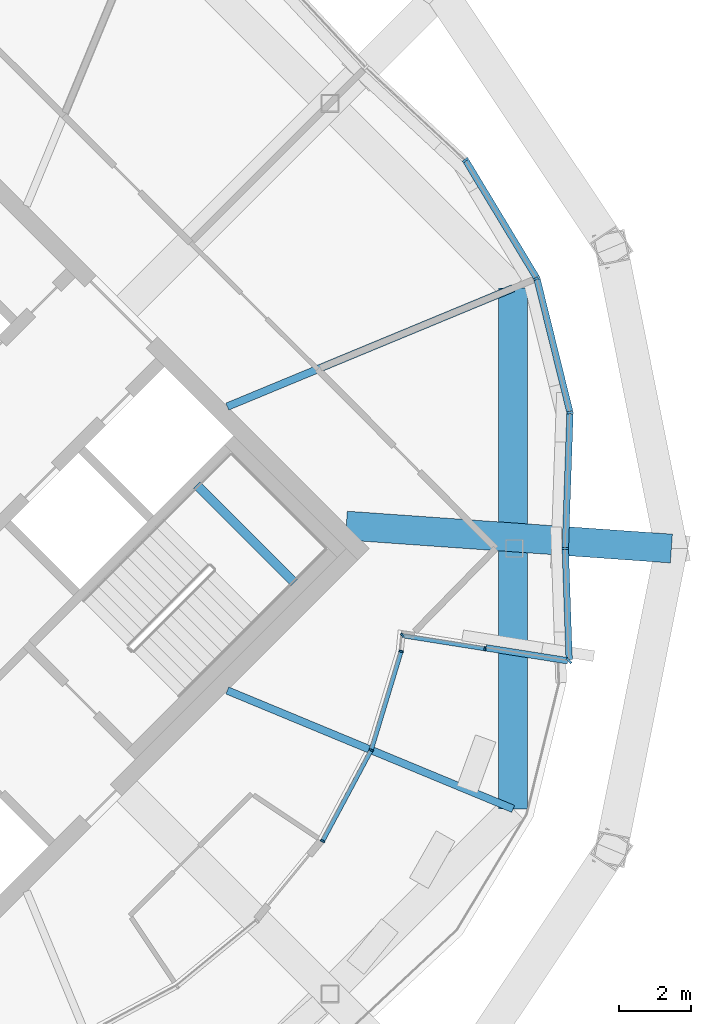
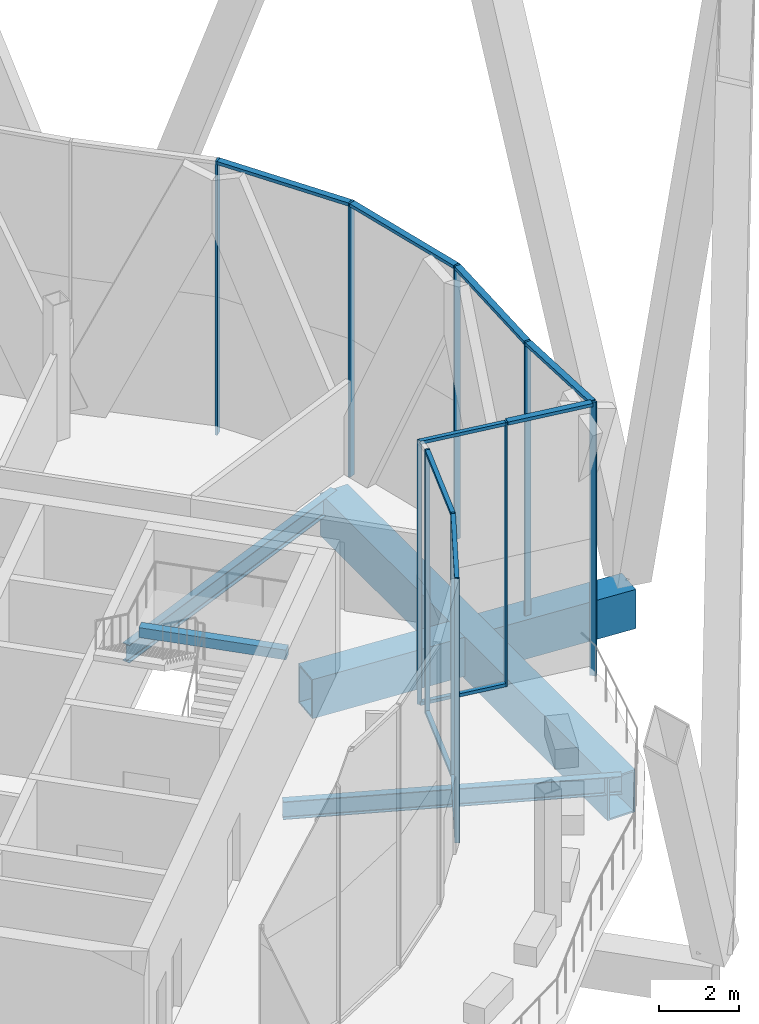
# One storey, part 20 of 38: 21 members, 5 beams, 3 elements without a shape of their own.
"""IFC4 building model written with IfcOpenShell, lengths in metres."""

from ifc_helpers import new_model, si_unit, direction, frame, origin, origin_2d, place, context, subcontext, project, spatial, rectangle, hollow_rectangle, i_section, extrude, material, material_profile, profile_set, type_object, element, aggregate, save


model = new_model("IFC4")

# Units and contexts
model_context = context("Model", 3, precision=1e-05, world=origin(), true_north=direction((0.0, 1.0)))
body_context = subcontext(model_context, "Body", "Model", "MODEL_VIEW")
ifc_project = project(units=[si_unit("LENGTHUNIT", "METRE"), si_unit("AREAUNIT", "SQUARE_METRE"), si_unit("VOLUMEUNIT", "CUBIC_METRE"), si_unit("PLANEANGLEUNIT", "RADIAN"), si_unit("MASSUNIT", "GRAM", prefix="KILO")], contexts=[model_context])

# Site, building, storey
site_placement = place(None, origin())
site = spatial("IfcSite", under=ifc_project, at=site_placement, CompositionType="ELEMENT")
building_placement = place(site_placement, origin())
building = spatial("IfcBuilding", under=site, at=building_placement, Name="Ogive Gate Towers", CompositionType="ELEMENT")
storey_placement = place(building_placement, frame((0.0, 0.0, 268.800048828125)))
storey = spatial("IfcBuildingStorey", under=building, at=storey_placement, Name="L63", CompositionType="ELEMENT", Elevation=268.800048828125)

# Beams
ifc_material_1 = material(Name="Steel SM460", Category="steel")
ifc_material_profile_1 = material_profile(ifc_material_1, hollow_rectangle(XDim=0.800048828125, YDim=1.300048828125, WallThickness=0.050048828125, at=origin_2d()), Name="BX 1300x800x50")
ifc_profile_set_1 = profile_set([ifc_material_profile_1], Name="Steel SM460")
beam_type_1 = type_object("IfcBeamType", Name="Edge girder BX 1300x800x50", PredefinedType="BEAM", material=ifc_profile_set_1)
beam_1_placement = place(storey_placement, frame((53.42431640625, -7.217529296875, -0.949951171875), z_axis=(0.0, 1.0, 0.0), x_axis=(-1.0, 0.0, 0.0)))
element("IfcBeam", 1, at=beam_1_placement, inside=storey, type_object=beam_type_1, Name="T2/L63/SBM020", PredefinedType="BEAM", context=body_context, shape_type="SweptSolid", body=[
    extrude(hollow_rectangle(XDim=0.800048828125, YDim=1.300048828125, WallThickness=0.050048828125, at=origin_2d()), origin(), (0.0, 0.0, 1.0), 14.43505859375),
])
ifc_material_2 = material(Name="Concrete C40/50", Category="concrete")
ifc_material_profile_2 = material_profile(ifc_material_2, rectangle(XDim=0.25, YDim=0.300048828125, at=origin_2d()), Name="RC 250x300")
ifc_profile_set_2 = profile_set([ifc_material_profile_2], Name="Concrete C40/50")
beam_type_2 = type_object("IfcBeamType", Name="Landing bearer RC 250x300", PredefinedType="BEAM", material=ifc_profile_set_2)
beam_2_placement = place(storey_placement, frame((47.35888671875, -0.94482421875, 1.75), z_axis=(-0.707138693938, 0.707074866995, 0.0), x_axis=(-0.707074866995, -0.707138693938, 0.0)))
element("IfcBeam", 2, at=beam_2_placement, inside=storey, type_object=beam_type_2, Name="T2 L63 stair 2 landing bearer 1", PredefinedType="BEAM", context=body_context, shape_type="SweptSolid", body=[
    extrude(rectangle(XDim=0.25, YDim=0.300048828125, at=origin_2d()), origin(), (0.0, 0.0, 1.0), 3.824951171875),
])
ifc_material_3 = material(Name="Steel SM355", Category="steel")
ifc_material_profile_3 = material_profile(ifc_material_3, i_section(OverallWidth=0.2099609375, OverallDepth=0.550048828125, WebThickness=0.010986328125, FlangeThickness=0.01708984375, FilletRadius=0.02392578125, at=origin_2d()), Name="IPE 550")
ifc_profile_set_3 = profile_set([ifc_material_profile_3], Name="Steel SM355")
beam_type_3 = type_object("IfcBeamType", Name="Radial floor beam IPE 550", PredefinedType="BEAM", material=ifc_profile_set_3)
for number, where, z_axis, x_axis, name in (
    (3, (45.5, -3.93505859375, -0.574951171875), (0.923874941579, -0.382694515667, 0.0), (0.382694515667, 0.923874941579, 0.0), "T2/L63/SBM007"),
    (4, (45.5, 3.93505859375, -0.574951171875), (0.923874941579, 0.382694515667, 0.0), (-0.382694515667, 0.923874941579, 0.0), "T2/L63/SBM009"),
):
    element("IfcBeam", number, at=place(storey_placement, frame(where, z_axis=z_axis, x_axis=x_axis)), inside=storey, type_object=beam_type_3, Name=name, PredefinedType="BEAM", context=body_context, shape_type="SweptSolid", body=[
        extrude(i_section(OverallWidth=0.2099609375, OverallDepth=0.550048828125, WebThickness=0.010986328125, FlangeThickness=0.01708984375, FilletRadius=0.02392578125, at=origin_2d()), origin(), (0.0, 0.0, 1.0), 8.5771484375),
    ])

# Curtain wall, members
ifc_material_4 = material(Name="Pale metal aluminium", Category="aluminium")
curtain_wall_type_1 = type_object("IfcCurtainWallType", Name="Sky garden glazing", PredefinedType="NOTDEFINED", material=ifc_material_4)
curtain_wall_1_placement = place(storey_placement, origin())
curtain_wall_1 = element("IfcCurtainWall", 5, at=curtain_wall_1_placement, inside=storey, type_object=curtain_wall_type_1, Name="CW4 T2 ECW02", PredefinedType="NOTDEFINED")
ifc_material_profile_4 = material_profile(ifc_material_4, rectangle(XDim=0.1201171875, YDim=0.050048828125, at=origin_2d()), Name="50 x 120 aluminium box")
ifc_profile_set_4 = profile_set([ifc_material_profile_4], Name="Pale metal aluminium")
member_type_1 = type_object("IfcMemberType", Name="Sky garden glazing mullion 50 x 120", PredefinedType="MULLION", material=ifc_profile_set_4)
member_1_placement = place(storey_placement, frame((52.640869140625, -2.77734375, 0.0), z_axis=(0.0, 0.0, 1.0), x_axis=(0.15643446504, 0.987688340595, 0.0)))
member_1 = element("IfcMember", 6, at=member_1_placement, type_object=member_type_1, Name="CW4 mullion", PredefinedType="MULLION", context=body_context, shape_type="SweptSolid", body=[
    extrude(rectangle(XDim=0.1201171875, YDim=0.050048828125, at=origin_2d()), origin(), (0.0, 0.0, 1.0), 8.099853515625),
])
member_2_placement = place(storey_placement, frame((50.3515625, -2.402099609375, 0.0), z_axis=(0.0, 0.0, 1.0), x_axis=(-0.611361313306, 0.791351593537, 0.0)))
member_2 = element("IfcMember", 7, at=member_2_placement, type_object=member_type_1, Name="CW4 mullion", PredefinedType="MULLION", context=body_context, shape_type="SweptSolid", body=[
    extrude(rectangle(XDim=0.1201171875, YDim=0.050048828125, at=origin_2d()), origin(), (0.0, 0.0, 1.0), 8.099853515625),
])
member_3_placement = place(storey_placement, frame((50.31982421875, -2.848388671875, 0.0), z_axis=(0.0, 0.0, 1.0), x_axis=(-0.980788685222, 0.195073204054, 0.0)))
member_3 = element("IfcMember", 8, at=member_3_placement, type_object=member_type_1, Name="CW4 mullion", PredefinedType="MULLION", context=body_context, shape_type="SweptSolid", body=[
    extrude(rectangle(XDim=0.1201171875, YDim=0.050048828125, at=origin_2d()), origin(), (0.0, 0.0, 1.0), 8.099853515625),
])
member_4_placement = place(storey_placement, frame((49.489013671875, -5.58740234375, 0.0), z_axis=(0.0, 0.0, 1.0), x_axis=(-0.923879532511, 0.382683432365, 0.0)))
member_4 = element("IfcMember", 9, at=member_4_placement, type_object=member_type_1, Name="CW4 mullion", PredefinedType="MULLION", context=body_context, shape_type="SweptSolid", body=[
    extrude(rectangle(XDim=0.1201171875, YDim=0.050048828125, at=origin_2d()), origin(), (0.0, 0.0, 1.0), 8.099853515625),
])
member_5_placement = place(storey_placement, frame((48.141845703125, -8.1083984375, 0.0), z_axis=(0.0, 0.0, 1.0), x_axis=(-0.881921264348, 0.471396736826, 0.0)))
member_5 = element("IfcMember", 10, at=member_5_placement, type_object=member_type_1, Name="CW4 mullion", PredefinedType="MULLION", context=body_context, shape_type="SweptSolid", body=[
    extrude(rectangle(XDim=0.1201171875, YDim=0.050048828125, at=origin_2d()), origin(), (0.0, 0.0, 1.0), 8.099853515625),
])
ifc_material_profile_5 = material_profile(ifc_material_4, rectangle(XDim=0.1201171875, YDim=0.10009765625, at=origin_2d()), Name="100 x 120 aluminium box")
ifc_profile_set_5 = profile_set([ifc_material_profile_5], Name="Pale metal aluminium")
member_type_2 = type_object("IfcMemberType", Name="Sky garden glazing transom 100 x 120", PredefinedType="USERDEFINED", material=ifc_profile_set_5)
member_6_placement = place(storey_placement, frame((52.6162109375, -2.7734375, 8.050048828125), z_axis=(-0.98769053385, 0.156420616747, 0.0), x_axis=(-0.156420616747, -0.98769053385, 0.0)))
member_6 = element("IfcMember", 11, at=member_6_placement, type_object=member_type_2, Name="CW4 transom", ObjectType="TRANSOM", PredefinedType="USERDEFINED", context=body_context, shape_type="SweptSolid", body=[
    extrude(rectangle(XDim=0.1201171875, YDim=0.10009765625, at=origin_2d()), origin(), (0.0, 0.0, 1.0), 2.299072265625),
])
member_7_placement = place(storey_placement, frame((52.6162109375, -2.7734375, 0.050048828125), z_axis=(-0.98769053385, 0.156420616747, 0.0), x_axis=(-0.156420616747, -0.98769053385, 0.0)))
member_7 = element("IfcMember", 12, at=member_7_placement, type_object=member_type_2, Name="CW4 transom", ObjectType="TRANSOM", PredefinedType="USERDEFINED", context=body_context, shape_type="SweptSolid", body=[
    extrude(rectangle(XDim=0.1201171875, YDim=0.10009765625, at=origin_2d()), origin(), (0.0, 0.0, 1.0), 2.299072265625),
])
member_8_placement = place(storey_placement, frame((50.311767578125, -2.876220703125, 8.050048828125), z_axis=(-0.2903335659, -0.95692550416, 0.0), x_axis=(0.95692550416, -0.2903335659, 0.0)))
member_8 = element("IfcMember", 13, at=member_8_placement, type_object=member_type_2, Name="CW4 transom", ObjectType="TRANSOM", PredefinedType="USERDEFINED", context=body_context, shape_type="SweptSolid", body=[
    extrude(rectangle(XDim=0.1201171875, YDim=0.10009765625, at=origin_2d()), origin(), (0.0, 0.0, 1.0), 2.804443359375),
])
member_9_placement = place(storey_placement, frame((50.311767578125, -2.876220703125, 0.050048828125), z_axis=(-0.2903335659, -0.95692550416, 0.0), x_axis=(0.95692550416, -0.2903335659, 0.0)))
member_9 = element("IfcMember", 14, at=member_9_placement, type_object=member_type_2, Name="CW4 transom", ObjectType="TRANSOM", PredefinedType="USERDEFINED", context=body_context, shape_type="SweptSolid", body=[
    extrude(rectangle(XDim=0.1201171875, YDim=0.10009765625, at=origin_2d()), origin(), (0.0, 0.0, 1.0), 2.804443359375),
])
member_10_placement = place(storey_placement, frame((49.4755859375, -5.613037109375, 8.050048828125), z_axis=(-0.471356255278, -0.881942900992, 0.0), x_axis=(0.881942900992, -0.471356255278, 0.0)))
member_10 = element("IfcMember", 15, at=member_10_placement, type_object=member_type_2, Name="CW4 transom", ObjectType="TRANSOM", PredefinedType="USERDEFINED", context=body_context, shape_type="SweptSolid", body=[
    extrude(rectangle(XDim=0.1201171875, YDim=0.10009765625, at=origin_2d()), origin(), (0.0, 0.0, 1.0), 2.80419921875),
])
member_11_placement = place(storey_placement, frame((49.4755859375, -5.613037109375, 0.050048828125), z_axis=(-0.471356255278, -0.881942900992, 0.0), x_axis=(0.881942900992, -0.471356255278, 0.0)))
member_11 = element("IfcMember", 16, at=member_11_placement, type_object=member_type_2, Name="CW4 transom", ObjectType="TRANSOM", PredefinedType="USERDEFINED", context=body_context, shape_type="SweptSolid", body=[
    extrude(rectangle(XDim=0.1201171875, YDim=0.10009765625, at=origin_2d()), origin(), (0.0, 0.0, 1.0), 2.80419921875),
])
aggregate(curtain_wall_1, [member_1, member_2, member_6, member_7, member_3, member_4, member_8, member_9, member_5, member_10, member_11])

curtain_wall_type_2 = type_object("IfcCurtainWallType", Name="Tower unitised wall, high zone", PredefinedType="NOTDEFINED", material=ifc_material_4)
curtain_wall_2_placement = place(storey_placement, origin())
curtain_wall_2 = element("IfcCurtainWall", 17, at=curtain_wall_2_placement, inside=storey, type_object=curtain_wall_type_2, Name="CW2 T2 ECW03", PredefinedType="NOTDEFINED")
ifc_material_profile_6 = material_profile(ifc_material_4, rectangle(XDim=0.179931640625, YDim=0.06005859375, at=origin_2d()), Name="60 x 180 aluminium box")
ifc_profile_set_6 = profile_set([ifc_material_profile_6], Name="Pale metal aluminium")
member_type_3 = type_object("IfcMemberType", Name="Tower unitised wall, high zone mullion 60 x 180", PredefinedType="MULLION", material=ifc_profile_set_6)
member_12_placement = place(storey_placement, frame((52.100341796875, 10.770263671875, -0.300048828125), z_axis=(0.0, 0.0, 1.0), x_axis=(-0.776563492267, -0.630039000759, 0.0)))
member_12 = element("IfcMember", 18, at=member_12_placement, type_object=member_type_3, Name="CW2 mullion", PredefinedType="MULLION", context=body_context, shape_type="SweptSolid", body=[
    extrude(rectangle(XDim=0.179931640625, YDim=0.06005859375, at=origin_2d()), origin(), (0.0, 0.0, 1.0), 8.39990234375),
])
member_13_placement = place(storey_placement, frame((54.081298828125, 7.489501953125, -0.300048828125), z_axis=(0.0, 0.0, 1.0), x_axis=(-0.923879532511, -0.382683432365, 0.0)))
member_13 = element("IfcMember", 19, at=member_13_placement, type_object=member_type_3, Name="CW2 mullion", PredefinedType="MULLION", context=body_context, shape_type="SweptSolid", body=[
    extrude(rectangle(XDim=0.179931640625, YDim=0.06005859375, at=origin_2d()), origin(), (0.0, 0.0, 1.0), 8.39990234375),
])
member_14_placement = place(storey_placement, frame((55.000244140625, 3.768798828125, -0.300048828125), z_axis=(0.0, 0.0, 1.0), x_axis=(-0.994618161253, -0.103608461555, 0.0)))
member_14 = element("IfcMember", 20, at=member_14_placement, type_object=member_type_3, Name="CW2 mullion", PredefinedType="MULLION", context=body_context, shape_type="SweptSolid", body=[
    extrude(rectangle(XDim=0.179931640625, YDim=0.06005859375, at=origin_2d()), origin(), (0.0, 0.0, 1.0), 8.39990234375),
])
member_15_placement = place(storey_placement, frame((54.8701171875, -0.000244140625, -0.300048828125), z_axis=(0.0, 0.0, 1.0), x_axis=(-0.999403551225, 0.034533198497, 0.0)))
member_15 = element("IfcMember", 21, at=member_15_placement, type_object=member_type_3, Name="CW2 mullion", PredefinedType="MULLION", context=body_context, shape_type="SweptSolid", body=[
    extrude(rectangle(XDim=0.179931640625, YDim=0.06005859375, at=origin_2d()), origin(), (0.0, 0.0, 1.0), 8.39990234375),
])

# Curtain wall, member
curtain_wall_3_placement = place(storey_placement, origin())
curtain_wall_3 = element("IfcCurtainWall", 22, at=curtain_wall_3_placement, inside=storey, type_object=curtain_wall_type_2, Name="CW2 T2 ECW10", PredefinedType="NOTDEFINED")
member_16_placement = place(storey_placement, frame((54.97412109375, -3.11279296875, -0.300048828125), z_axis=(0.0, 0.0, 1.0), x_axis=(-0.662476246829, 0.749082920902, 0.0)))
member_16 = element("IfcMember", 23, at=member_16_placement, type_object=member_type_3, Name="CW2 mullion", PredefinedType="MULLION", context=body_context, shape_type="SweptSolid", body=[
    extrude(rectangle(XDim=0.179931640625, YDim=0.06005859375, at=origin_2d()), origin(), (0.0, 0.0, 1.0), 8.39990234375),
])

# Member
ifc_material_profile_7 = material_profile(ifc_material_4, rectangle(XDim=0.179931640625, YDim=0.10009765625, at=origin_2d()), Name="100 x 180 aluminium box")
ifc_profile_set_7 = profile_set([ifc_material_profile_7], Name="Pale metal aluminium")
member_type_4 = type_object("IfcMemberType", Name="Tower unitised wall, high zone transom 100 x 180", PredefinedType="USERDEFINED", material=ifc_profile_set_7)
member_17_placement = place(storey_placement, frame((52.11669921875, 10.743408203125, 8.050048828125), z_axis=(0.516912981046, -0.85603794894, 0.0), x_axis=(0.85603794894, 0.516912981046, 0.0)))
member_17 = element("IfcMember", 24, at=member_17_placement, type_object=member_type_4, Name="CW2 transom", ObjectType="TRANSOM", PredefinedType="USERDEFINED", context=body_context, shape_type="SweptSolid", body=[
    extrude(rectangle(XDim=0.179931640625, YDim=0.10009765625, at=origin_2d()), origin(), (0.0, 0.0, 1.0), 3.76953125),
])

member_18_placement = place(storey_placement, frame((54.089111328125, 7.458984375, 8.050048828125), z_axis=(0.239761155023, -0.9708319054, 0.0), x_axis=(0.9708319054, 0.239761155023, 0.0)))
member_18 = element("IfcMember", 25, at=member_18_placement, type_object=member_type_4, Name="CW2 transom", ObjectType="TRANSOM", PredefinedType="USERDEFINED", context=body_context, shape_type="SweptSolid", body=[
    extrude(rectangle(XDim=0.179931640625, YDim=0.10009765625, at=origin_2d()), origin(), (0.0, 0.0, 1.0), 3.76953125),
])

member_19_placement = place(storey_placement, frame((54.999267578125, 3.737548828125, 8.050048828125), z_axis=(-0.034546130482, -0.999403104292, 0.0), x_axis=(0.999403104292, -0.034546130482, 0.0)))
member_19 = element("IfcMember", 26, at=member_19_placement, type_object=member_type_4, Name="CW2 transom", ObjectType="TRANSOM", PredefinedType="USERDEFINED", context=body_context, shape_type="SweptSolid", body=[
    extrude(rectangle(XDim=0.179931640625, YDim=0.10009765625, at=origin_2d()), origin(), (0.0, 0.0, 1.0), 3.710205078125),
])

aggregate(curtain_wall_2, [member_12, member_13, member_17, member_14, member_18, member_15, member_19])

member_20_placement = place(storey_placement, frame((54.87109375, -0.029541015625, 8.050048828125), z_axis=(0.034528497041, -0.999403713667, 0.0), x_axis=(0.999403713667, 0.034528497041, 0.0)))
member_20 = element("IfcMember", 27, at=member_20_placement, type_object=member_type_4, Name="CW2 transom", ObjectType="TRANSOM", PredefinedType="USERDEFINED", context=body_context, shape_type="SweptSolid", body=[
    extrude(rectangle(XDim=0.179931640625, YDim=0.10009765625, at=origin_2d()), origin(), (0.0, 0.0, 1.0), 3.04736328125),
])

member_21_placement = place(storey_placement, frame((54.936279296875, -3.110595703125, 8.050048828125), z_axis=(-0.987685016725, 0.156455449685, 0.0), x_axis=(-0.156455449685, -0.987685016725, 0.0)))
member_21 = element("IfcMember", 28, at=member_21_placement, type_object=member_type_4, Name="CW2 transom", ObjectType="TRANSOM", PredefinedType="USERDEFINED", context=body_context, shape_type="SweptSolid", body=[
    extrude(rectangle(XDim=0.179931640625, YDim=0.10009765625, at=origin_2d()), origin(), (0.0, 0.0, 1.0), 2.2890625),
])

aggregate(curtain_wall_3, [member_16, member_20, member_21])

# Beam
ifc_material_profile_8 = material_profile(ifc_material_1, hollow_rectangle(XDim=0.800048828125, YDim=1.199951171875, WallThickness=0.050048828125, at=origin_2d()), Name="BX 1200x800x50")
ifc_profile_set_8 = profile_set([ifc_material_profile_8], Name="Steel SM460")
beam_type_4 = type_object("IfcBeamType", Name="Transfer radial beam BX 1200x800x50", PredefinedType="BEAM", material=ifc_profile_set_8)
beam_3_placement = place(storey_placement, frame((48.798583984375, 0.636474609375, -0.900146484375), z_axis=(0.99751504066, -0.070453840617, 0.0), x_axis=(0.070453840617, 0.99751504066, 0.0)))
element("IfcBeam", 29, at=beam_3_placement, inside=storey, type_object=beam_type_4, Name="T2/L63/SBM008", PredefinedType="BEAM", context=body_context, shape_type="SweptSolid", body=[
    extrude(hollow_rectangle(XDim=0.800048828125, YDim=1.199951171875, WallThickness=0.050048828125, at=origin_2d()), origin(), (0.0, 0.0, 1.0), 9.033935546875),
])

save(model, "model.ifc")
